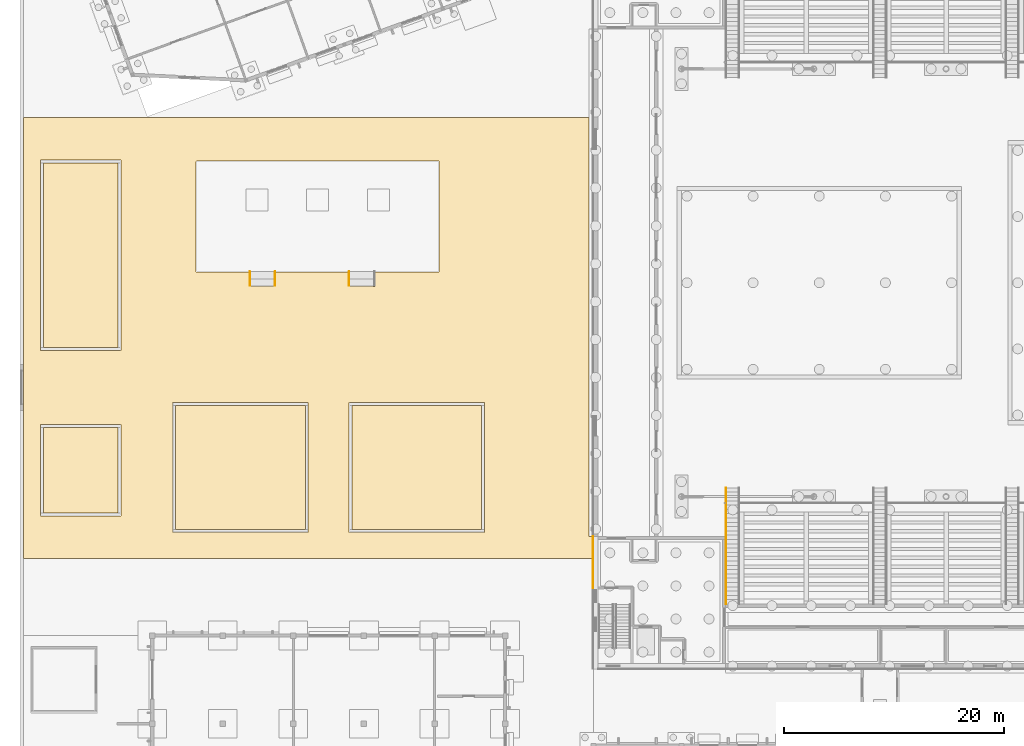
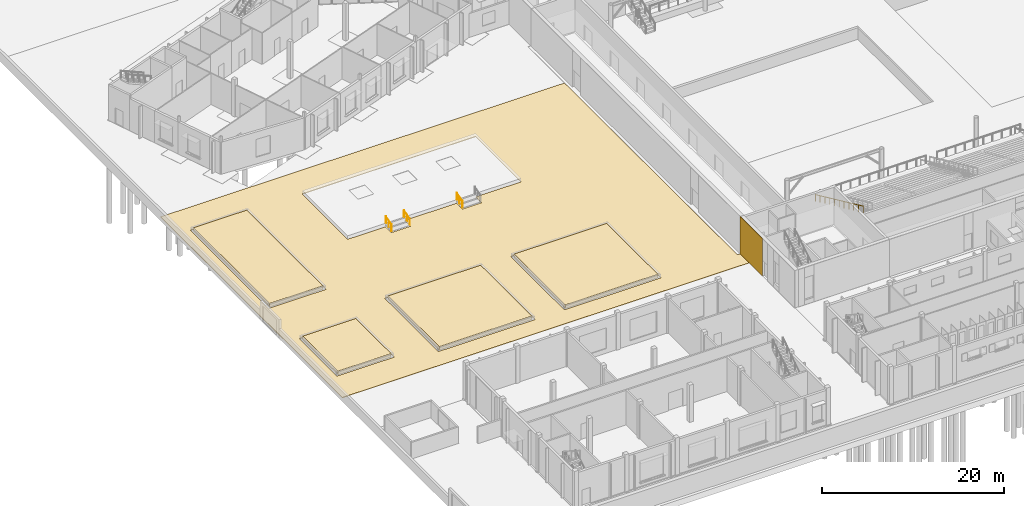
# One storey, part 126 of 157: 6 coverings, 4 railings.
"""IFC4 building model written with IfcOpenShell, lengths in metres."""

from ifc_helpers import new_model, si_unit, direction, frame, origin, origin_2d, place, context, subcontext, project, spatial, polyline, circle, outline, extrude, material, layer, layer_set, type_object, element, save


model = new_model("IFC4")

# Units and contexts
model_context = context("Model", 3, precision=1e-05, world=origin(), true_north=direction((0.0, 1.0)))
body_context = subcontext(model_context, "Body", "Model", "MODEL_VIEW")
ifc_project = project(units=[si_unit("LENGTHUNIT", "METRE"), si_unit("AREAUNIT", "SQUARE_METRE"), si_unit("VOLUMEUNIT", "CUBIC_METRE"), si_unit("PLANEANGLEUNIT", "RADIAN"), si_unit("MASSUNIT", "GRAM", prefix="KILO")], contexts=[model_context])

# Site, building, storey
site_placement = place(None, origin())
site = spatial("IfcSite", under=ifc_project, at=site_placement, CompositionType="ELEMENT")
building_placement = place(site_placement, origin())
building = spatial("IfcBuilding", under=site, at=building_placement, Name="Windward Yard Aquatics Centre", CompositionType="ELEMENT")
storey_placement = place(building_placement, origin())
storey = spatial("IfcBuildingStorey", under=building, at=storey_placement, Name="L00", CompositionType="ELEMENT", Elevation=0.0)

# Railing
ifc_material_1 = material(Name="Stainless steel 1.4529", Category="steel")
railing_type_1 = type_object("IfcRailingType", Name="H Handrail Steel 900", PredefinedType="HANDRAIL", material=ifc_material_1)
railing_placement = place(storey_placement, frame((64.050048828125, 42.3896484375, 0.1787109375)))
element("IfcRailing", 1, at=railing_placement, inside=storey, type_object=railing_type_1, Name="Vomitory stair S1 handrail 1", PredefinedType="HANDRAIL", context=body_context, shape_type="SweptSolid", body=[
    extrude(circle(Radius=0.02392578125, at=origin_2d()), frame((0.0, 0.0, 0.8759765625), z_axis=(0.0, -0.909227440193, 0.416299726158), x_axis=(1.0, 0.0, 0.0)), (0.0, 0.0, 1.0), 11.581298828125),
    extrude(circle(Radius=0.02099609375, at=origin_2d()), origin(), (0.0, 0.0, 1.0), 0.851806640625),
    extrude(circle(Radius=0.02099609375, at=origin_2d()), frame((0.0, -1.052978515625, 0.482177734375)), (0.0, 0.0, 1.0), 0.851806640625),
    extrude(circle(Radius=0.02099609375, at=origin_2d()), frame((0.0, -2.10595703125, 0.96435546875)), (0.0, 0.0, 1.0), 0.851806640625),
    extrude(circle(Radius=0.02099609375, at=origin_2d()), frame((0.0, -3.158935546875, 1.4462890625)), (0.0, 0.0, 1.0), 0.851806640625),
    extrude(circle(Radius=0.02099609375, at=origin_2d()), frame((0.0, -4.2119140625, 1.928466796875)), (0.0, 0.0, 1.0), 0.851806640625),
    extrude(circle(Radius=0.02099609375, at=origin_2d()), frame((0.0, -5.26513671875, 2.41064453125)), (0.0, 0.0, 1.0), 0.851806640625),
    extrude(circle(Radius=0.02099609375, at=origin_2d()), frame((0.0, -6.318115234375, 2.892822265625)), (0.0, 0.0, 1.0), 0.851806640625),
    extrude(circle(Radius=0.02099609375, at=origin_2d()), frame((0.0, -7.37109375, 3.375)), (0.0, 0.0, 1.0), 0.851806640625),
    extrude(circle(Radius=0.02099609375, at=origin_2d()), frame((0.0, -8.424072265625, 3.85693359375)), (0.0, 0.0, 1.0), 0.851806640625),
    extrude(circle(Radius=0.02099609375, at=origin_2d()), frame((0.0, -9.47705078125, 4.339111328125)), (0.0, 0.0, 1.0), 0.851806640625),
    extrude(circle(Radius=0.02099609375, at=origin_2d()), frame((0.0, -10.530029296875, 4.8212890625)), (0.0, 0.0, 1.0), 0.851806640625),
])

# Coverings
ifc_material_2 = material(Name="Natural limestone cladding", Category="masonry")
ifc_layer_1 = layer(ifc_material_2, 0.0400390625)
ifc_layer_set_1 = layer_set([ifc_layer_1], Name="H natural stone cladding 40")
covering_type_1 = type_object("IfcCoveringType", Name="H natural stone cladding 40", PredefinedType="CLADDING", material=ifc_layer_set_1)
covering_1_placement = place(storey_placement, origin())
element("IfcCovering", 2, at=covering_1_placement, inside=storey, type_object=covering_type_1, Name="Stone cladding panel 140", PredefinedType="CLADDING", context=body_context, shape_type="SweptSolid", body=[
    extrude(outline(polyline([(51.9599609375, 33.10009765625), (52.0, 33.10009765625), (52.0, 38.0), (51.9599609375, 38.0), (51.9599609375, 33.10009765625)])), origin(), (0.0, 0.0, 1.0), 5.0),
])
ifc_material_3 = material(Name="Concrete block paving C35/45", Category="concrete")
ifc_layer_2 = layer(ifc_material_3, 0.080078125)
ifc_layer_set_2 = layer_set([ifc_layer_2], Name="X Concrete Block Paving 80")
covering_type_2 = type_object("IfcCoveringType", Name="X Concrete Block Paving 80", PredefinedType="FLOORING", material=ifc_layer_set_2)
covering_2_placement = place(storey_placement, frame((0.0, 0.0, -0.080078125)))
element("IfcCovering", 3, at=covering_2_placement, inside=storey, type_object=covering_type_2, Name="Garden court paving 2", PredefinedType="FLOORING", context=body_context, shape_type="SweptSolid", body=[
    extrude(outline(polyline([(0.320068359375, 36.0), (51.93994140625, 36.0), (51.93994140625, 37.97998046875), (51.625, 37.97998046875), (51.6171875, 37.9814453125), (51.6123046875, 37.984619140625), (51.607421875, 37.990478515625), (51.60546875, 37.99609375), (51.60498046875, 76.0), (0.320068359375, 76.0), (0.320068359375, 36.0)]), holes=[polyline([(29.85498046875, 38.375), (29.8564453125, 38.3671875), (29.86083984375, 38.36083984375), (29.8671875, 38.3564453125), (29.875, 38.35498046875), (42.125, 38.35498046875), (42.1328125, 38.3564453125), (42.13916015625, 38.36083984375), (42.1435546875, 38.3671875), (42.14501953125, 38.375), (42.14501953125, 50.126953125), (42.142578125, 50.134521484375), (42.1376953125, 50.140380859375), (42.1328125, 50.1435546875), (42.125, 50.14501953125), (29.875, 50.14501953125), (29.8671875, 50.1435546875), (29.86083984375, 50.13916015625), (29.8564453125, 50.1328125), (29.85498046875, 50.125), (29.85498046875, 38.375)]), polyline([(15.97998046875, 62.0), (15.9833984375, 61.989013671875), (15.990478515625, 61.982421875), (16.0, 61.97998046875), (20.780029296875, 61.97998046875), (20.780029296875, 60.699951171875), (20.782470703125, 60.690673828125), (20.79052734375, 60.682373046875), (20.800048828125, 60.679931640625), (23.199951171875, 60.679931640625), (23.207763671875, 60.681396484375), (23.214111328125, 60.685791015625), (23.218505859375, 60.6923828125), (23.219970703125, 60.699951171875), (23.219970703125, 61.97998046875), (29.780029296875, 61.97998046875), (29.780029296875, 60.699951171875), (29.782470703125, 60.690673828125), (29.79052734375, 60.682373046875), (29.800048828125, 60.679931640625), (32.199951171875, 60.679931640625), (32.207763671875, 60.681396484375), (32.214111328125, 60.685791015625), (32.218505859375, 60.6923828125), (32.219970703125, 60.699951171875), (32.219970703125, 61.97998046875), (38.0, 61.97998046875), (38.0078125, 61.9814453125), (38.0126953125, 61.984619140625), (38.0185546875, 61.9921875), (38.02001953125, 62.0), (38.02001953125, 72.0), (38.0185546875, 72.0078125), (38.015380859375, 72.0126953125), (38.0078125, 72.0185546875), (38.0, 72.02001953125), (16.0, 72.02001953125), (15.994140625, 72.01904296875), (15.9873046875, 72.015380859375), (15.9814453125, 72.0078125), (15.97998046875, 72.0), (15.97998046875, 62.0)]), polyline([(13.85498046875, 38.375), (13.8564453125, 38.3671875), (13.86083984375, 38.36083984375), (13.8671875, 38.3564453125), (13.875, 38.35498046875), (26.125, 38.35498046875), (26.1328125, 38.3564453125), (26.13916015625, 38.36083984375), (26.1435546875, 38.3671875), (26.14501953125, 38.375), (26.14453125, 50.12890625), (26.142578125, 50.134521484375), (26.1376953125, 50.140380859375), (26.1328125, 50.1435546875), (26.125, 50.14501953125), (13.875, 50.14501953125), (13.8671875, 50.1435546875), (13.86083984375, 50.13916015625), (13.8564453125, 50.1328125), (13.85498046875, 50.125), (13.85498046875, 38.375)]), polyline([(1.85498046875, 39.875), (1.8564453125, 39.8671875), (1.86083984375, 39.86083984375), (1.8671875, 39.8564453125), (1.875, 39.85498046875), (9.125, 39.85498046875), (9.1328125, 39.8564453125), (9.13916015625, 39.86083984375), (9.1435546875, 39.8671875), (9.14501953125, 39.875), (9.14501953125, 48.126953125), (9.142578125, 48.134521484375), (9.1376953125, 48.140380859375), (9.1328125, 48.1435546875), (9.125, 48.14501953125), (1.875, 48.14501953125), (1.8671875, 48.1435546875), (1.86083984375, 48.13916015625), (1.8564453125, 48.1328125), (1.85498046875, 48.125), (1.85498046875, 39.875)]), polyline([(1.85498046875, 54.875), (1.8583984375, 54.864013671875), (1.8671875, 54.8564453125), (1.875, 54.85498046875), (9.125, 54.85498046875), (9.135986328125, 54.8583984375), (9.1435546875, 54.8671875), (9.14501953125, 54.875), (9.14501953125, 72.125), (9.1435546875, 72.1328125), (9.13916015625, 72.13916015625), (9.1328125, 72.1435546875), (9.125, 72.14501953125), (1.875, 72.14501953125), (1.864013671875, 72.1416015625), (1.8564453125, 72.1328125), (1.85498046875, 72.125), (1.85498046875, 54.875)])]), origin(), (0.0, 0.0, 1.0), 0.080078125),
])

# Railings
railing_type_2 = type_object("IfcRailingType", Name="X Handrail Steel 900", PredefinedType="HANDRAIL", material=ifc_material_1)
for number, where, name in (
    (4, (20.85009765625, 60.75, 0.14990234375), "Learner terrace stair 1 handrail"),
    (5, (23.14990234375, 60.75, 0.14990234375), "Learner terrace stair 1 handrail"),
    (6, (29.85009765625, 60.75, 0.14990234375), "Learner terrace stair 2 handrail"),
):
    element("IfcRailing", number, at=place(storey_placement, frame(where)), inside=storey, type_object=railing_type_2, Name=name, PredefinedType="HANDRAIL", context=body_context, shape_type="SweptSolid", body=[
        extrude(circle(Radius=0.02392578125, at=origin_2d()), frame((0.0, 0.0, 0.8759765625), z_axis=(0.0, 0.972378681754, 0.233408867163), x_axis=(-1.0, 0.0, 0.0)), (0.0, 0.0, 1.0), 1.285400390625),
        extrude(circle(Radius=0.02099609375, at=origin_2d()), origin(), (0.0, 0.0, 1.0), 0.851806640625),
        extrude(circle(Radius=0.02099609375, at=origin_2d()), frame((0.0, 0.625, 0.14990234375)), (0.0, 0.0, 1.0), 0.851806640625),
        extrude(circle(Radius=0.02099609375, at=origin_2d()), frame((0.0, 1.25, 0.300048828125)), (0.0, 0.0, 1.0), 0.851806640625),
    ])

# Coverings
ifc_material_4 = material(Name="Planting soil")
ifc_layer_3 = layer(ifc_material_4, 0.448, Name="Planting")
ifc_material_5 = material(Name="Filter fabric")
ifc_layer_4 = layer(ifc_material_5, 0.002, Name="Filter")
ifc_material_6 = material(Name="Drainage board")
ifc_layer_5 = layer(ifc_material_6, 0.05, Name="Drainage")
ifc_layer_set_3 = layer_set([ifc_layer_3, ifc_layer_4, ifc_layer_5], Name="X Planting Bed Soil 400")
covering_type_3 = type_object("IfcCoveringType", Name="X Planting Bed Soil 400", PredefinedType="USERDEFINED", material=ifc_layer_set_3)
covering_3_placement = place(storey_placement, frame((0.0, 0.0, -0.10009765625)))
element("IfcCovering", 7, at=covering_3_placement, inside=storey, type_object=covering_type_3, Name="Rain garden", ObjectType="PLANTING BED", PredefinedType="USERDEFINED", context=body_context, shape_type="SweptSolid", body=[
    extrude(outline(polyline([(14.125, 38.625), (25.875, 38.625), (25.875, 49.875), (14.125, 49.875), (14.125, 38.625)])), origin(), (0.0, 0.0, 1.0), 0.5),
])
covering_4_placement = place(storey_placement, frame((0.0, 0.0, -0.10009765625)))
element("IfcCovering", 8, at=covering_4_placement, inside=storey, type_object=covering_type_3, Name="Shade tree garden", ObjectType="PLANTING BED", PredefinedType="USERDEFINED", context=body_context, shape_type="SweptSolid", body=[
    extrude(outline(polyline([(30.125, 38.625), (41.875, 38.625), (41.875, 49.875), (30.125, 49.875), (30.125, 38.625)])), origin(), (0.0, 0.0, 1.0), 0.5),
])
covering_5_placement = place(storey_placement, frame((0.0, 0.0, -0.10009765625)))
element("IfcCovering", 9, at=covering_5_placement, inside=storey, type_object=covering_type_3, Name="West boundary garden south", ObjectType="PLANTING BED", PredefinedType="USERDEFINED", context=body_context, shape_type="SweptSolid", body=[
    extrude(outline(polyline([(2.125, 40.125), (8.875, 40.125), (8.875, 47.875), (2.125, 47.875), (2.125, 40.125)])), origin(), (0.0, 0.0, 1.0), 0.5),
])
covering_6_placement = place(storey_placement, frame((0.0, 0.0, -0.10009765625)))
element("IfcCovering", 10, at=covering_6_placement, inside=storey, type_object=covering_type_3, Name="West boundary garden north", ObjectType="PLANTING BED", PredefinedType="USERDEFINED", context=body_context, shape_type="SweptSolid", body=[
    extrude(outline(polyline([(2.125, 55.125), (8.875, 55.125), (8.875, 71.875), (2.125, 71.875), (2.125, 55.125)])), origin(), (0.0, 0.0, 1.0), 0.5),
])

save(model, "model.ifc")
